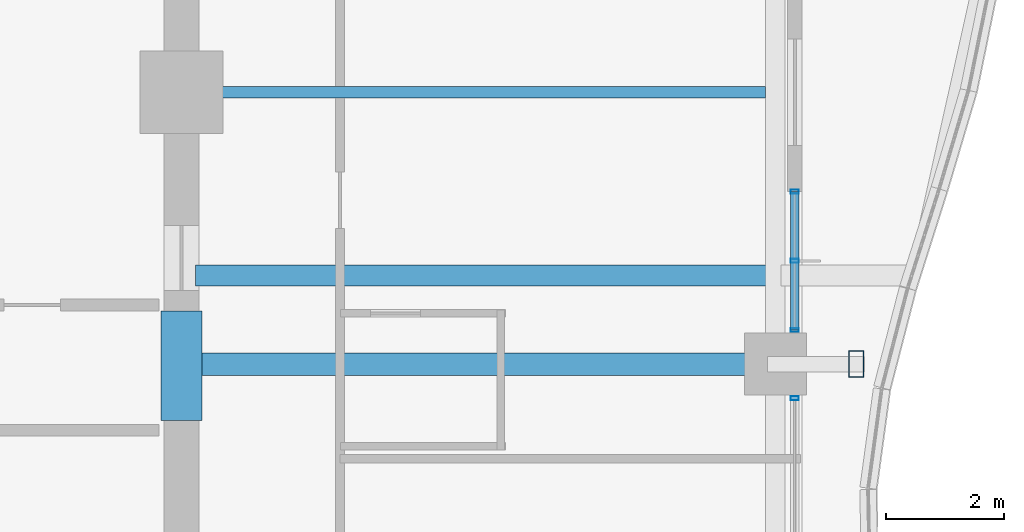
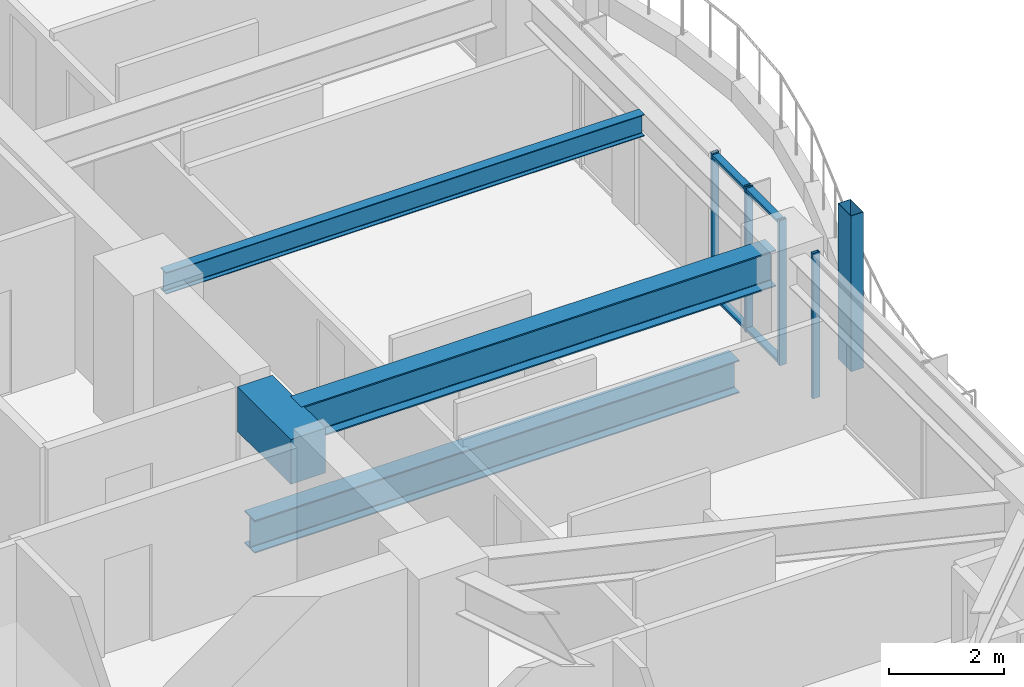
# One storey, part 14 of 37: 7 members, 4 beams, 2 elements without a shape of their own.
"""IFC4 building model written with IfcOpenShell, lengths in metres."""

from ifc_helpers import new_model, si_unit, direction, frame, origin, origin_2d, place, context, subcontext, project, spatial, rectangle, hollow_rectangle, i_section, extrude, material, material_profile, profile_set, type_object, element, aggregate, save


model = new_model("IFC4")

# Units and contexts
model_context = context("Model", 3, precision=1e-05, world=origin(), true_north=direction((0.0, 1.0)))
body_context = subcontext(model_context, "Body", "Model", "MODEL_VIEW")
ifc_project = project(units=[si_unit("LENGTHUNIT", "METRE"), si_unit("AREAUNIT", "SQUARE_METRE"), si_unit("VOLUMEUNIT", "CUBIC_METRE"), si_unit("PLANEANGLEUNIT", "RADIAN"), si_unit("MASSUNIT", "GRAM", prefix="KILO")], contexts=[model_context])

# Site, building, storey
site_placement = place(None, origin())
site = spatial("IfcSite", under=ifc_project, at=site_placement, CompositionType="ELEMENT")
building_placement = place(site_placement, origin())
building = spatial("IfcBuilding", under=site, at=building_placement, Name="Kolvaren Belvedere", CompositionType="ELEMENT")
storey_placement = place(building_placement, frame((0.0, 0.0, 75.5)))
storey = spatial("IfcBuildingStorey", under=building, at=storey_placement, Name="L21", CompositionType="ELEMENT", Elevation=75.5)

# Beams
ifc_material_1 = material(Name="Structural steel ASTM A992 Grade 50", Category="steel")
ifc_material_profile_1 = material_profile(ifc_material_1, i_section(OverallWidth=0.35498046875, OverallDepth=0.696044921875, WebThickness=0.015380859375, FlangeThickness=0.02490234375, FilletRadius=0.02197265625, at=origin_2d()), Name="W27X146")
ifc_profile_set_1 = profile_set([ifc_material_profile_1], Name="Structural steel ASTM A992 Grade 50")
beam_type_1 = type_object("IfcBeamType", Name="BM-GIRD-W27X146", PredefinedType="BEAM", material=ifc_profile_set_1)
beam_1_placement = place(storey_placement, frame((10.139892578125, -3.10009765625, -0.568115234375), z_axis=(1.0, 0.0, 0.0), x_axis=(0.0, 1.0, 0.0)))
element("IfcBeam", 1, at=beam_1_placement, inside=storey, type_object=beam_type_1, Name="L21 Balcony Interior Back-Span Girder BAL-E-1", PredefinedType="BEAM", context=body_context, shape_type="SweptSolid", body=[
    extrude(i_section(OverallWidth=0.35498046875, OverallDepth=0.696044921875, WebThickness=0.015380859375, FlangeThickness=0.02490234375, FilletRadius=0.02197265625, at=origin_2d()), origin(), (0.0, 0.0, 1.0), 9.715087890625),
])
ifc_material_2 = material(Name="Structural steel ASTM A992 Grade 50", Category="steel")
ifc_material_profile_2 = material_profile(ifc_material_2, i_section(OverallWidth=0.381103515625, OverallDepth=0.77294921875, WebThickness=0.0166015625, FlangeThickness=0.027099609375, FilletRadius=0.02392578125, at=origin_2d()), Name="W30X173")
ifc_profile_set_2 = profile_set([ifc_material_profile_2], Name="Structural steel ASTM A992 Grade 50")
beam_type_2 = type_object("IfcBeamType", Name="BM-GIRD-W30X173", PredefinedType="BEAM", material=ifc_profile_set_2)
beam_2_placement = place(storey_placement, frame((10.199951171875, -4.60009765625, 2.693603515625), z_axis=(1.0, 0.0, 0.0), x_axis=(0.0, 1.0, 0.0)))
element("IfcBeam", 2, at=beam_2_placement, inside=storey, type_object=beam_type_2, Name="L21 East Radial Girder M", PredefinedType="BEAM", context=body_context, shape_type="SweptSolid", body=[
    extrude(i_section(OverallWidth=0.381103515625, OverallDepth=0.77294921875, WebThickness=0.0166015625, FlangeThickness=0.027099609375, FilletRadius=0.02392578125, at=origin_2d()), origin(), (0.0, 0.0, 1.0), 9.513916015625),
])
ifc_material_3 = material(Name="Structural steel ASTM A992 Grade 50", Category="steel")
ifc_material_profile_3 = material_profile(ifc_material_3, i_section(OverallWidth=0.19091796875, OverallDepth=0.4599609375, WebThickness=0.010009765625, FlangeThickness=0.01611328125, FilletRadius=0.014892578125, at=origin_2d()), Name="W18X55")
ifc_profile_set_3 = profile_set([ifc_material_profile_3], Name="Structural steel ASTM A992 Grade 50")
beam_type_3 = type_object("IfcBeamType", Name="BM-JOIST-W18X55", PredefinedType="BEAM", material=ifc_profile_set_3)
beam_3_placement = place(storey_placement, frame((10.199951171875, 0.0, 2.85009765625), z_axis=(1.0, 0.0, 0.0), x_axis=(0.0, 1.0, 0.0)))
element("IfcBeam", 3, at=beam_3_placement, inside=storey, type_object=beam_type_3, Name="L21 East Centre Floor Beam", PredefinedType="BEAM", context=body_context, shape_type="SweptSolid", body=[
    extrude(i_section(OverallWidth=0.19091796875, OverallDepth=0.4599609375, WebThickness=0.010009765625, FlangeThickness=0.01611328125, FilletRadius=0.014892578125, at=origin_2d()), origin(), (0.0, 0.0, 1.0), 9.587646484375),
])
ifc_material_4 = material(Name="Concrete C60/75", Category="concrete")
ifc_material_profile_4 = material_profile(ifc_material_4, rectangle(XDim=0.699951171875, YDim=0.949951171875, at=origin_2d()), Name="RC 700X950")
ifc_profile_set_4 = profile_set([ifc_material_profile_4], Name="Concrete C60/75")
beam_type_4 = type_object("IfcBeamType", Name="BM-LINT-950", PredefinedType="LINTEL", material=ifc_profile_set_4)
beam_4_placement = place(storey_placement, frame((9.89990234375, -5.550048828125, 2.60498046875), z_axis=(0.0, 1.0, 0.0), x_axis=(-1.0, 0.0, 0.0)))
element("IfcBeam", 4, at=beam_4_placement, inside=storey, type_object=beam_type_4, Name="L21 East Core Coupling Lintel", PredefinedType="LINTEL", context=body_context, shape_type="SweptSolid", body=[
    extrude(rectangle(XDim=0.699951171875, YDim=0.949951171875, at=origin_2d()), origin(), (0.0, 0.0, 1.0), 1.85009765625),
])

# Curtain wall, members
ifc_material_5 = material(Name="Anodised pale-metal aluminium AA 6063-T6", Category="aluminium")
curtain_wall_type = type_object("IfcCurtainWallType", Name="CW-Z2-MID", PredefinedType="NOTDEFINED", material=ifc_material_5)
curtain_wall_1_placement = place(storey_placement, origin())
curtain_wall_1 = element("IfcCurtainWall", 5, at=curtain_wall_1_placement, inside=storey, type_object=curtain_wall_type, Name="L21 Unitised Curtain Wall FCW-L21-E2-B1", PredefinedType="NOTDEFINED")
ifc_material_6 = material(Name="Anodised pale-metal aluminium AA 6063-T6", Category="aluminium")
ifc_material_profile_5 = material_profile(ifc_material_6, hollow_rectangle(XDim=0.06494140625, YDim=0.139892578125, WallThickness=0.00390625, at=origin_2d()), Name="ALU-MUL-140X65")
ifc_profile_set_5 = profile_set([ifc_material_profile_5], Name="Anodised pale-metal aluminium AA 6063-T6")
member_type_1 = type_object("IfcMemberType", Name="CW-MUL-140", PredefinedType="MULLION", material=ifc_profile_set_5)
member_1_placement = place(storey_placement, frame((20.280029296875, -1.679931640625, 0.0), z_axis=(0.0, 0.0, 1.0), x_axis=(0.0, 1.0, 0.0)))
member_1 = element("IfcMember", 6, at=member_1_placement, type_object=member_type_1, Name="FCW-L21-E2-B1 Unitised Mullion 1", PredefinedType="MULLION", context=body_context, shape_type="SweptSolid", body=[
    extrude(hollow_rectangle(XDim=0.06494140625, YDim=0.139892578125, WallThickness=0.00390625, at=origin_2d()), origin(), (0.0, 0.0, 1.0), 3.080078125),
])
member_2_placement = place(storey_placement, frame((20.280029296875, -2.851318359375, 0.0), z_axis=(0.0, 0.0, 1.0), x_axis=(0.0, 1.0, 0.0)))
member_2 = element("IfcMember", 7, at=member_2_placement, type_object=member_type_1, Name="FCW-L21-E2-B1 Unitised Mullion 2", PredefinedType="MULLION", context=body_context, shape_type="SweptSolid", body=[
    extrude(hollow_rectangle(XDim=0.06494140625, YDim=0.139892578125, WallThickness=0.00390625, at=origin_2d()), origin(), (0.0, 0.0, 1.0), 3.080078125),
])
member_3_placement = place(storey_placement, frame((20.280029296875, -4.0224609375, 0.0), z_axis=(0.0, 0.0, 1.0), x_axis=(0.0, 1.0, 0.0)))
member_3 = element("IfcMember", 8, at=member_3_placement, type_object=member_type_1, Name="FCW-L21-E2-B1 Unitised Mullion 3", PredefinedType="MULLION", context=body_context, shape_type="SweptSolid", body=[
    extrude(hollow_rectangle(XDim=0.06494140625, YDim=0.139892578125, WallThickness=0.00390625, at=origin_2d()), origin(), (0.0, 0.0, 1.0), 3.080078125),
])

# Curtain wall, member
curtain_wall_2_placement = place(storey_placement, origin())
curtain_wall_2 = element("IfcCurtainWall", 9, at=curtain_wall_2_placement, inside=storey, type_object=curtain_wall_type, Name="L21 Unitised Curtain Wall FCW-L21-E2-B2", PredefinedType="NOTDEFINED")
member_4_placement = place(storey_placement, frame((20.280029296875, -5.177490234375, 0.0), z_axis=(0.0, 0.0, 1.0), x_axis=(0.0, 1.0, 0.0)))
member_4 = element("IfcMember", 10, at=member_4_placement, type_object=member_type_1, Name="FCW-L21-E2-B2 Unitised Mullion 1", PredefinedType="MULLION", context=body_context, shape_type="SweptSolid", body=[
    extrude(hollow_rectangle(XDim=0.06494140625, YDim=0.139892578125, WallThickness=0.00390625, at=origin_2d()), origin(), (0.0, 0.0, 1.0), 3.080078125),
])
aggregate(curtain_wall_2, [member_4])

# Member
ifc_material_7 = material(Name="Anodised pale-metal aluminium AA 6063-T6", Category="aluminium")
ifc_material_profile_6 = material_profile(ifc_material_7, hollow_rectangle(XDim=0.06005859375, YDim=0.139892578125, WallThickness=0.00390625, at=origin_2d()), Name="ALU-TRN-140X60")
ifc_profile_set_6 = profile_set([ifc_material_profile_6], Name="Anodised pale-metal aluminium AA 6063-T6")
member_type_2 = type_object("IfcMemberType", Name="CW-TRN-140", PredefinedType="USERDEFINED", material=ifc_profile_set_6)
member_5_placement = place(storey_placement, frame((20.280029296875, -1.679931640625, 0.06005859375), z_axis=(0.0, -1.0, 0.0), x_axis=(0.0, 0.0, 1.0)))
member_5 = element("IfcMember", 11, at=member_5_placement, type_object=member_type_2, Name="FCW-L21-E2-B1 Sill Transom", ObjectType="TRANSOM", PredefinedType="USERDEFINED", context=body_context, shape_type="SweptSolid", body=[
    extrude(hollow_rectangle(XDim=0.06005859375, YDim=0.139892578125, WallThickness=0.00390625, at=origin_2d()), origin(), (0.0, 0.0, 1.0), 2.342529296875),
])

member_6_placement = place(storey_placement, frame((20.280029296875, -1.679931640625, 3.02001953125), z_axis=(0.0, -1.0, 0.0), x_axis=(0.0, 0.0, 1.0)))
member_6 = element("IfcMember", 12, at=member_6_placement, type_object=member_type_2, Name="FCW-L21-E2-B1 Head Transom", ObjectType="TRANSOM", PredefinedType="USERDEFINED", context=body_context, shape_type="SweptSolid", body=[
    extrude(hollow_rectangle(XDim=0.06005859375, YDim=0.139892578125, WallThickness=0.00390625, at=origin_2d()), origin(), (0.0, 0.0, 1.0), 2.342529296875),
])

aggregate(curtain_wall_1, [member_1, member_2, member_3, member_5, member_6])

ifc_material_8 = material(Name="Anodised pale-metal aluminium AA 6063-T6", Category="aluminium")
ifc_material_profile_7 = material_profile(ifc_material_8, hollow_rectangle(XDim=0.25, YDim=0.449951171875, WallThickness=0.008544921875, at=origin_2d()), Name="ALU-PF-450X250")
ifc_profile_set_7 = profile_set([ifc_material_profile_7], Name="Anodised pale-metal aluminium AA 6063-T6")
member_type_3 = type_object("IfcMemberType", Name="PF-FRAME-450", PredefinedType="USERDEFINED", material=ifc_profile_set_7)
member_7_placement = place(storey_placement, frame((21.320068359375, -4.60009765625, 0.0), z_axis=(0.0, 0.0, 1.0), x_axis=(1.0, 0.0, 0.0)))
element("IfcMember", 13, at=member_7_placement, inside=storey, type_object=member_type_3, Name="L21 Outboard Picture-Frame Vertical E2", ObjectType="PICTURE FRAME FIN", PredefinedType="USERDEFINED", context=body_context, shape_type="SweptSolid", body=[
    extrude(hollow_rectangle(XDim=0.25, YDim=0.449951171875, WallThickness=0.008544921875, at=origin_2d()), origin(), (0.0, 0.0, 1.0), 3.300048828125),
])

save(model, "model.ifc")
